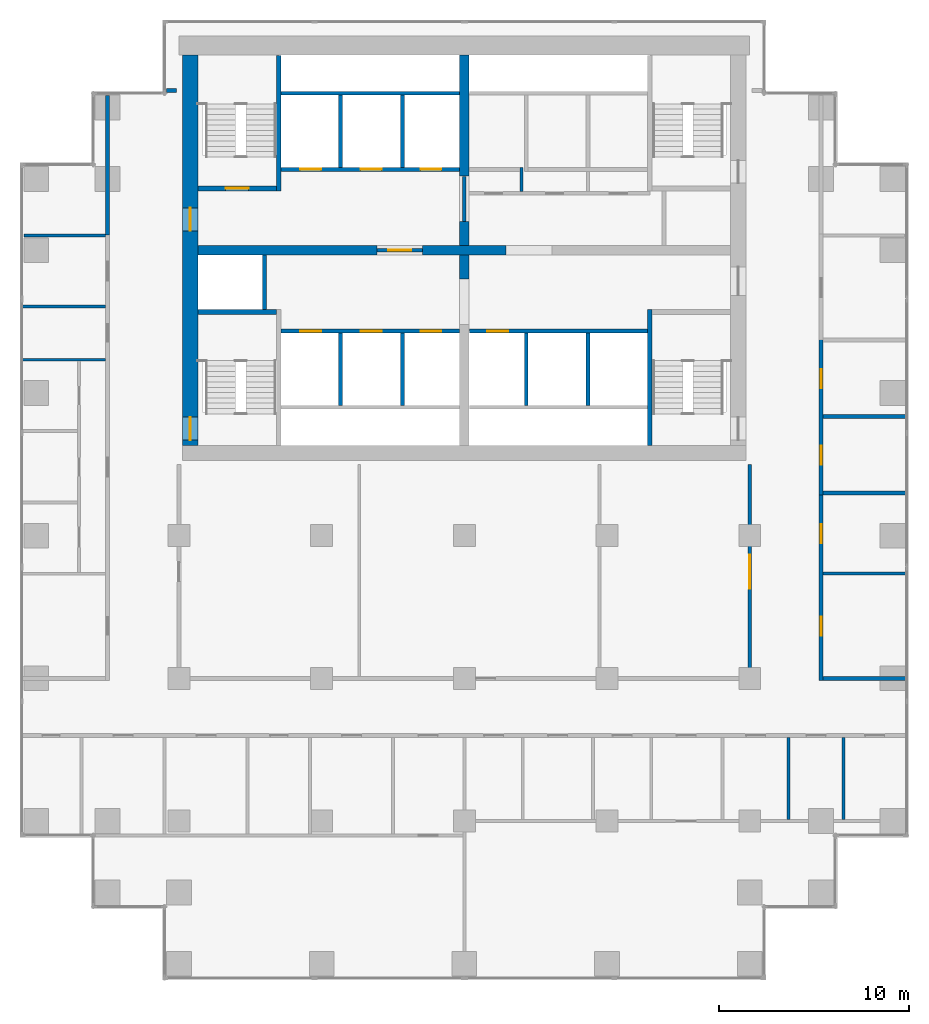
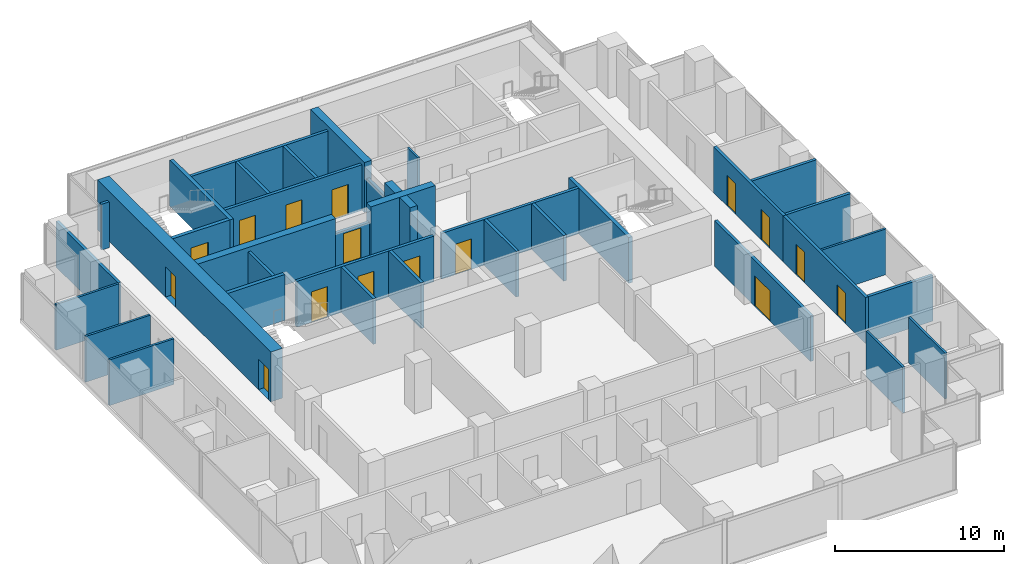
# One storey, part 8 of 10: 38 walls, 16 doors, 16 openings.
"""IFC4 building model written with IfcOpenShell, lengths in metres."""

from ifc_helpers import new_model, si_unit, direction, frame, frame_2d, origin, place, context, subcontext, project, spatial, rectangle, extrude, material, layer, layer_set, type_object, element, fill, save


model = new_model("IFC4")

# Units and contexts
model_context = context("Model", 3, precision=1e-05, world=origin(), true_north=direction((0.0, 1.0)))
body_context = subcontext(model_context, "Body", "Model", "MODEL_VIEW")
ifc_project = project(units=[si_unit("LENGTHUNIT", "METRE"), si_unit("AREAUNIT", "SQUARE_METRE"), si_unit("VOLUMEUNIT", "CUBIC_METRE"), si_unit("PLANEANGLEUNIT", "RADIAN"), si_unit("MASSUNIT", "GRAM", prefix="KILO")], contexts=[model_context])

# Site, building, storey
site_placement = place(None, origin())
site = spatial("IfcSite", under=ifc_project, at=site_placement, CompositionType="ELEMENT")
building_placement = place(site_placement, origin())
building = spatial("IfcBuilding", under=site, at=building_placement, Name="Pilkhan Gate Tower", CompositionType="ELEMENT")
storey_placement = place(building_placement, frame((0.0, 0.0, 139.60009765625)))
storey = spatial("IfcBuildingStorey", under=building, at=storey_placement, Name="L35", CompositionType="ELEMENT", Elevation=139.60009765625)

# Wall, openings, doors
ifc_material_1 = material(Name="Concrete C60/75", Category="concrete")
ifc_layer_1 = layer(ifc_material_1, 0.800048828125)
ifc_layer_set_1 = layer_set([ifc_layer_1], Name="Core wall CW800 C60/75")
wall_type_1 = type_object("IfcWallType", Name="Core wall CW800 C60/75", PredefinedType="SHEAR", material=ifc_layer_set_1)
wall_1_placement = place(storey_placement, frame((60.60009765625, 92.75, 0.0), z_axis=(0.0, 0.0, 1.0), x_axis=(0.0, -1.0, 0.0)))
wall_1 = element("IfcWall", 1, at=wall_1_placement, inside=storey, type_object=wall_type_1, Name="Core wall W L35", PredefinedType="SHEAR", context=body_context, shape_type="SweptSolid", body=[
    extrude(rectangle(XDim=20.5, YDim=0.800048828125, at=frame_2d((10.25, 0.0))), origin(), (0.0, 0.0, 1.0), 3.599853515625),
])
opening_1_placement = place(wall_1_placement, frame((19.02490234375, 0.0, 0.0)))
opening_1 = element("IfcOpeningElement", 2, at=opening_1_placement, cuts=wall_1, Name="Opening L35-04", PredefinedType="OPENING", context=body_context, shape_type="SweptSolid", body=[
    extrude(rectangle(XDim=1.199951171875, YDim=2.199951171875, at=frame_2d((0.60009765625, 1.10009765625))), frame((0.0, 0.409912109375, 0.0), z_axis=(0.0, -1.0, 0.0), x_axis=(1.0, 0.0, 0.0)), (0.0, 0.0, 1.0), 0.820068359375),
])
opening_2_placement = place(wall_1_placement, frame((8.02490234375, 0.0, 0.0)))
opening_2 = element("IfcOpeningElement", 3, at=opening_2_placement, cuts=wall_1, Name="Opening L35-12", PredefinedType="OPENING", context=body_context, shape_type="SweptSolid", body=[
    extrude(rectangle(XDim=1.199951171875, YDim=2.199951171875, at=frame_2d((0.60009765625, 1.10009765625))), frame((0.0, 0.409912109375, 0.0), z_axis=(0.0, -1.0, 0.0), x_axis=(1.0, 0.0, 0.0)), (0.0, 0.0, 1.0), 0.820068359375),
])
ifc_material_2 = material(Name="Steel door, 120 minute fire resisting, self-closing", Category="steel")
door_type_1 = type_object("IfcDoorType", Name="Firefighting lobby door D10 1200x2200", OperationType="SINGLE_SWING_LEFT", PredefinedType="DOOR", material=ifc_material_2)
door_1_placement = place(opening_2_placement, origin())
door_1 = element("IfcDoor", 4, at=door_1_placement, inside=storey, type_object=door_type_1, Name="Core door", OperationType="SINGLE_SWING_LEFT", OverallHeight=2.199951171875, OverallWidth=1.199951171875, PredefinedType="DOOR", context=body_context, shape_type="SweptSolid", body=[
    extrude(rectangle(XDim=1.199951171875, YDim=2.199951171875, at=frame_2d((0.60009765625, 1.10009765625))), frame((0.0, 0.02490234375, 0.0), z_axis=(0.0, -1.0, 0.0), x_axis=(1.0, 0.0, 0.0)), (0.0, 0.0, 1.0), 0.050048828125),
])
fill(opening_2, door_1)
ifc_material_3 = material(Name="Steel door, 120 minute fire resisting, panic bar", Category="steel")
door_type_2 = type_object("IfcDoorType", Name="Stair door D11 1200x2200", OperationType="SINGLE_SWING_LEFT", PredefinedType="DOOR", material=ifc_material_3)
door_2_placement = place(opening_1_placement, origin())
door_2 = element("IfcDoor", 5, at=door_2_placement, inside=storey, type_object=door_type_2, Name="Stair ST2 door", OperationType="SINGLE_SWING_RIGHT", OverallHeight=2.199951171875, OverallWidth=1.199951171875, PredefinedType="DOOR", context=body_context, shape_type="SweptSolid", body=[
    extrude(rectangle(XDim=1.199951171875, YDim=2.199951171875, at=frame_2d((0.60009765625, 1.10009765625))), frame((0.0, 0.02490234375, 0.0), z_axis=(0.0, -1.0, 0.0), x_axis=(1.0, 0.0, 0.0)), (0.0, 0.0, 1.0), 0.050048828125),
])
fill(opening_1, door_2)

# Walls
ifc_material_4 = material(Name="Dense blockwork", Category="masonry")
ifc_layer_2 = layer(ifc_material_4, 0.199951171875)
ifc_layer_set_2 = layer_set([ifc_layer_2], Name="Corridor wall FW200")
wall_type_2 = type_object("IfcWallType", Name="Corridor wall FW200", PredefinedType="PARTITIONING", material=ifc_layer_set_2)
wall_2_placement = place(storey_placement, frame((93.85009765625, 60.0, 0.0), z_axis=(0.0, 0.0, 1.0), x_axis=(1.0, 0.0, 0.0)))
element("IfcWall", 6, at=wall_2_placement, inside=storey, type_object=wall_type_2, Name="Partition L35", PredefinedType="PARTITIONING", context=body_context, shape_type="SweptSolid", body=[
    extrude(rectangle(XDim=4.414794921875, YDim=0.199951171875, at=frame_2d((2.20751953125, 0.0))), origin(), (0.0, 0.0, 1.0), 3.2998046875),
])
wall_3_placement = place(storey_placement, frame((59.35498046875, 90.89990234375, 0.0), z_axis=(0.0, 0.0, 1.0), x_axis=(1.0, 0.0, 0.0)))
element("IfcWall", 7, at=wall_3_placement, inside=storey, type_object=wall_type_2, Name="Partition L35", PredefinedType="PARTITIONING", context=body_context, shape_type="SweptSolid", body=[
    extrude(rectangle(XDim=0.52490234375, YDim=0.199951171875, at=frame_2d((0.262451171875, 0.0))), origin(), (0.0, 0.0, 1.0), 3.2998046875),
])
wall_4_placement = place(storey_placement, frame((56.25, 83.31005859375, 0.0), z_axis=(0.0, 0.0, 1.0), x_axis=(0.0, 1.0, 0.0)))
element("IfcWall", 8, at=wall_4_placement, inside=storey, type_object=wall_type_2, Name="Partition L35", PredefinedType="PARTITIONING", context=body_context, shape_type="SweptSolid", body=[
    extrude(rectangle(XDim=7.3349609375, YDim=0.199951171875, at=frame_2d((3.66748046875, 0.0))), origin(), (0.0, 0.0, 1.0), 3.2998046875),
])

# Wall, opening, door
wall_5_placement = place(storey_placement, frame((90.0, 59.89990234375, 0.0), z_axis=(0.0, 0.0, 1.0), x_axis=(0.0, 1.0, 0.0)))
wall_5 = element("IfcWall", 9, at=wall_5_placement, inside=storey, type_object=wall_type_2, Name="Partition L35", PredefinedType="PARTITIONING", context=body_context, shape_type="SweptSolid", body=[
    extrude(rectangle(XDim=11.35009765625, YDim=0.199951171875, at=frame_2d((5.675048828125, 0.0))), origin(), (0.0, 0.0, 1.0), 3.2998046875),
])
opening_3_placement = place(wall_5_placement, frame((4.800048828125, 0.0, 0.0)))
opening_3 = element("IfcOpeningElement", 10, at=opening_3_placement, cuts=wall_5, Name="Opening L35-40", PredefinedType="OPENING", context=body_context, shape_type="SweptSolid", body=[
    extrude(rectangle(XDim=1.800048828125, YDim=2.199951171875, at=frame_2d((0.89990234375, 1.10009765625))), frame((0.0, 0.10986328125, 0.0), z_axis=(0.0, -1.0, 0.0), x_axis=(1.0, 0.0, 0.0)), (0.0, 0.0, 1.0), 0.219970703125),
])
ifc_material_5 = material(Name="Timber glazed double door, 30 minute fire resisting", Category="wood")
door_type_3 = type_object("IfcDoorType", Name="Double door D04 1800x2200", OperationType="DOUBLE_DOOR_SINGLE_SWING", PredefinedType="DOOR", material=ifc_material_5)
door_3_placement = place(opening_3_placement, origin())
door_3 = element("IfcDoor", 11, at=door_3_placement, inside=storey, type_object=door_type_3, Name="Double door", OperationType="DOUBLE_DOOR_SINGLE_SWING", OverallHeight=2.199951171875, OverallWidth=1.800048828125, PredefinedType="DOOR", context=body_context, shape_type="SweptSolid", body=[
    extrude(rectangle(XDim=1.800048828125, YDim=2.199951171875, at=frame_2d((0.89990234375, 1.10009765625))), frame((0.0, 0.02490234375, 0.0), z_axis=(0.0, -1.0, 0.0), x_axis=(1.0, 0.0, 0.0)), (0.0, 0.0, 1.0), 0.050048828125),
])
fill(opening_3, door_3)

# Wall, openings, doors
wall_6_placement = place(storey_placement, frame((93.75, 59.89990234375, 0.0), z_axis=(0.0, 0.0, 1.0), x_axis=(0.0, 1.0, 0.0)))
wall_6 = element("IfcWall", 12, at=wall_6_placement, inside=storey, type_object=wall_type_2, Name="Partition L35", PredefinedType="PARTITIONING", context=body_context, shape_type="SweptSolid", body=[
    extrude(rectangle(XDim=9.835205078125, YDim=0.199951171875, at=frame_2d((4.91748046875, 0.0))), origin(), (0.0, 0.0, 1.0), 3.2998046875),
])
opening_4_placement = place(wall_6_placement, frame((2.35009765625, 0.0, 0.0)))
opening_4 = element("IfcOpeningElement", 13, at=opening_4_placement, cuts=wall_6, Name="Opening L35-35", PredefinedType="OPENING", context=body_context, shape_type="SweptSolid", body=[
    extrude(rectangle(XDim=1.0, YDim=2.199951171875, at=frame_2d((0.5, 1.10009765625))), frame((0.0, 0.10986328125, 0.0), z_axis=(0.0, -1.0, 0.0), x_axis=(1.0, 0.0, 0.0)), (0.0, 0.0, 1.0), 0.219970703125),
])
opening_5_placement = place(wall_6_placement, frame((7.202880859375, 0.0, 0.0)))
opening_5 = element("IfcOpeningElement", 14, at=opening_5_placement, cuts=wall_6, Name="Opening L35-36", PredefinedType="OPENING", context=body_context, shape_type="SweptSolid", body=[
    extrude(rectangle(XDim=1.0, YDim=2.199951171875, at=frame_2d((0.5, 1.10009765625))), frame((0.0, 0.10986328125, 0.0), z_axis=(0.0, -1.0, 0.0), x_axis=(1.0, 0.0, 0.0)), (0.0, 0.0, 1.0), 0.219970703125),
])
ifc_material_6 = material(Name="Timber flush door, 30 minute fire resisting", Category="wood")
door_type_4 = type_object("IfcDoorType", Name="Room door D03 1000x2200", OperationType="SINGLE_SWING_LEFT", PredefinedType="DOOR", material=ifc_material_6)
door_4_placement = place(opening_4_placement, origin())
door_4 = element("IfcDoor", 15, at=door_4_placement, inside=storey, type_object=door_type_4, Name="Room door", OperationType="SINGLE_SWING_LEFT", OverallHeight=2.199951171875, OverallWidth=1.0, PredefinedType="DOOR", context=body_context, shape_type="SweptSolid", body=[
    extrude(rectangle(XDim=1.0, YDim=2.199951171875, at=frame_2d((0.5, 1.10009765625))), frame((0.0, 0.02490234375, 0.0), z_axis=(0.0, -1.0, 0.0), x_axis=(1.0, 0.0, 0.0)), (0.0, 0.0, 1.0), 0.050048828125),
])
fill(opening_4, door_4)
door_5_placement = place(opening_5_placement, origin())
door_5 = element("IfcDoor", 16, at=door_5_placement, inside=storey, type_object=door_type_4, Name="Room door", OperationType="SINGLE_SWING_LEFT", OverallHeight=2.199951171875, OverallWidth=1.0, PredefinedType="DOOR", context=body_context, shape_type="SweptSolid", body=[
    extrude(rectangle(XDim=1.0, YDim=2.199951171875, at=frame_2d((0.5, 1.10009765625))), frame((0.0, 0.02490234375, 0.0), z_axis=(0.0, -1.0, 0.0), x_axis=(1.0, 0.0, 0.0)), (0.0, 0.0, 1.0), 0.050048828125),
])
fill(opening_5, door_5)

# Walls
ifc_layer_3 = layer(ifc_material_4, 0.199951171875)
ifc_layer_set_3 = layer_set([ifc_layer_3], Name="Lobby wall LW200")
wall_type_3 = type_object("IfcWallType", Name="Lobby wall LW200", PredefinedType="PARTITIONING", material=ifc_layer_set_3)
for number, where, z_axis, x_axis, name in (
    (17, (93.85009765625, 69.735107421875, 0.0), (0.0, 0.0, 1.0), (1.0, 0.0, 0.0), "Partition L35"),
    (18, (93.85009765625, 73.756103515625, 0.0), (0.0, 0.0, 1.0), (1.0, 0.0, 0.0), "Partition L35"),
):
    element("IfcWall", number, at=place(storey_placement, frame(where, z_axis=z_axis, x_axis=x_axis)), inside=storey, type_object=wall_type_3, Name=name, PredefinedType="PARTITIONING", context=body_context, shape_type="SweptSolid", body=[
        extrude(rectangle(XDim=4.414794921875, YDim=0.199951171875, at=frame_2d((2.20751953125, 0.0))), origin(), (0.0, 0.0, 1.0), 3.2998046875),
    ])

# Wall, opening, door
wall_7_placement = place(storey_placement, frame((70.409912109375, 82.5, 0.0), z_axis=(0.0, 0.0, 1.0), x_axis=(1.0, 0.0, 0.0)))
wall_7 = element("IfcWall", 19, at=wall_7_placement, inside=storey, type_object=wall_type_3, Name="Partition L35", PredefinedType="PARTITIONING", context=body_context, shape_type="SweptSolid", body=[
    extrude(rectangle(XDim=2.380126953125, YDim=0.199951171875, at=frame_2d((1.18994140625, 0.0))), origin(), (0.0, 0.0, 1.0), 2.39990234375),
])
opening_6_placement = place(wall_7_placement, frame((0.60009765625, 0.0, 0.0)))
opening_6 = element("IfcOpeningElement", 20, at=opening_6_placement, cuts=wall_7, Name="Opening L35-01", PredefinedType="OPENING", context=body_context, shape_type="SweptSolid", body=[
    extrude(rectangle(XDim=1.199951171875, YDim=2.199951171875, at=frame_2d((0.60009765625, 1.10009765625))), frame((0.0, 0.10986328125, 0.0), z_axis=(0.0, -1.0, 0.0), x_axis=(1.0, 0.0, 0.0)), (0.0, 0.0, 1.0), 0.219970703125),
])
door_6_placement = place(opening_6_placement, origin())
door_6 = element("IfcDoor", 21, at=door_6_placement, inside=storey, type_object=door_type_1, Name="Firefighting lobby door", OperationType="SINGLE_SWING_RIGHT", OverallHeight=2.199951171875, OverallWidth=1.199951171875, PredefinedType="DOOR", context=body_context, shape_type="SweptSolid", body=[
    extrude(rectangle(XDim=1.199951171875, YDim=2.199951171875, at=frame_2d((0.60009765625, 1.10009765625))), frame((0.0, 0.02490234375, 0.0), z_axis=(0.0, -1.0, 0.0), x_axis=(1.0, 0.0, 0.0)), (0.0, 0.0, 1.0), 0.050048828125),
])
fill(opening_6, door_6)

# Wall
wall_8_placement = place(storey_placement, frame((75.0, 84.010009765625, 0.0), z_axis=(0.0, 0.0, 1.0), x_axis=(0.0, 1.0, 0.0)))
element("IfcWall", 22, at=wall_8_placement, inside=storey, type_object=wall_type_3, Name="Partition L35", PredefinedType="PARTITIONING", context=body_context, shape_type="SweptSolid", body=[
    extrude(rectangle(XDim=2.3798828125, YDim=0.199951171875, at=frame_2d((1.18994140625, 0.0))), origin(), (0.0, 0.0, 1.0), 2.39990234375),
])

# Wall, openings, doors
wall_9_placement = place(storey_placement, frame((93.75, 69.635009765625, 0.0), z_axis=(0.0, 0.0, 1.0), x_axis=(0.0, 1.0, 0.0)))
wall_9 = element("IfcWall", 23, at=wall_9_placement, inside=storey, type_object=wall_type_3, Name="Partition L35", PredefinedType="PARTITIONING", context=body_context, shape_type="SweptSolid", body=[
    extrude(rectangle(XDim=8.241943359375, YDim=0.199951171875, at=frame_2d((4.12109375, 0.0))), origin(), (0.0, 0.0, 1.0), 3.2998046875),
])
opening_7_placement = place(wall_9_placement, frame((1.60009765625, 0.0, 0.0)))
opening_7 = element("IfcOpeningElement", 24, at=opening_7_placement, cuts=wall_9, Name="Opening L35-09", PredefinedType="OPENING", context=body_context, shape_type="SweptSolid", body=[
    extrude(rectangle(XDim=1.0, YDim=2.199951171875, at=frame_2d((0.5, 1.10009765625))), frame((0.0, 0.10986328125, 0.0), z_axis=(0.0, -1.0, 0.0), x_axis=(1.0, 0.0, 0.0)), (0.0, 0.0, 1.0), 0.219970703125),
])
opening_8_placement = place(wall_9_placement, frame((5.62109375, 0.0, 0.0)))
opening_8 = element("IfcOpeningElement", 25, at=opening_8_placement, cuts=wall_9, Name="Opening L35-10", PredefinedType="OPENING", context=body_context, shape_type="SweptSolid", body=[
    extrude(rectangle(XDim=1.0, YDim=2.199951171875, at=frame_2d((0.5, 1.10009765625))), frame((0.0, 0.10986328125, 0.0), z_axis=(0.0, -1.0, 0.0), x_axis=(1.0, 0.0, 0.0)), (0.0, 0.0, 1.0), 0.219970703125),
])
door_7_placement = place(opening_7_placement, origin())
door_7 = element("IfcDoor", 26, at=door_7_placement, inside=storey, type_object=door_type_4, Name="Room door", OperationType="SINGLE_SWING_RIGHT", OverallHeight=2.199951171875, OverallWidth=1.0, PredefinedType="DOOR", context=body_context, shape_type="SweptSolid", body=[
    extrude(rectangle(XDim=1.0, YDim=2.199951171875, at=frame_2d((0.5, 1.10009765625))), frame((0.0, 0.02490234375, 0.0), z_axis=(0.0, -1.0, 0.0), x_axis=(1.0, 0.0, 0.0)), (0.0, 0.0, 1.0), 0.050048828125),
])
fill(opening_7, door_7)
door_8_placement = place(opening_8_placement, origin())
door_8 = element("IfcDoor", 27, at=door_8_placement, inside=storey, type_object=door_type_4, Name="Room door", OperationType="SINGLE_SWING_LEFT", OverallHeight=2.199951171875, OverallWidth=1.0, PredefinedType="DOOR", context=body_context, shape_type="SweptSolid", body=[
    extrude(rectangle(XDim=1.0, YDim=2.199951171875, at=frame_2d((0.5, 1.10009765625))), frame((0.0, 0.02490234375, 0.0), z_axis=(0.0, -1.0, 0.0), x_axis=(1.0, 0.0, 0.0)), (0.0, 0.0, 1.0), 0.050048828125),
])
fill(opening_8, door_8)

# Walls
ifc_material_7 = material(Name="Blockwork partition, plastered both sides", Category="masonry")
ifc_layer_4 = layer(ifc_material_7, 0.14990234375)
ifc_layer_set_4 = layer_set([ifc_layer_4], Name="Partition PW150")
wall_type_4 = type_object("IfcWallType", Name="Partition PW150", PredefinedType="PARTITIONING", material=ifc_layer_set_4)
for number, where, z_axis, x_axis, name in (
    (28, (93.85009765625, 65.5029296875, 0.0), (0.0, 0.0, 1.0), (1.0, 0.0, 0.0), "Partition L35"),
    (29, (51.735107421875, 76.75, 0.0), (0.0, 0.0, 1.0), (1.0, 0.0, 0.0), "Partition L35"),
    (30, (51.735107421875, 79.549072265625, 0.0), (0.0, 0.0, 1.0), (1.0, 0.0, 0.0), "Partition L35"),
):
    element("IfcWall", number, at=place(storey_placement, frame(where, z_axis=z_axis, x_axis=x_axis)), inside=storey, type_object=wall_type_4, Name=name, PredefinedType="PARTITIONING", context=body_context, shape_type="SweptSolid", body=[
        extrude(rectangle(XDim=4.414794921875, YDim=0.14990234375, at=frame_2d((2.20751953125, 0.0))), origin(), (0.0, 0.0, 1.0), 3.2998046875),
    ])
wall_10_placement = place(storey_placement, frame((51.85498046875, 83.280029296875, 0.0), z_axis=(0.0, 0.0, 1.0), x_axis=(1.0, 0.0, 0.0)))
element("IfcWall", 31, at=wall_10_placement, inside=storey, type_object=wall_type_4, Name="Partition L35", PredefinedType="PARTITIONING", context=body_context, shape_type="SweptSolid", body=[
    extrude(rectangle(XDim=4.294921875, YDim=0.14990234375, at=frame_2d((2.1474609375, 0.0))), origin(), (0.0, 0.0, 1.0), 3.2998046875),
])
wall_11_placement = place(storey_placement, frame((78.0, 85.60009765625, 0.0), z_axis=(0.0, 0.0, 1.0), x_axis=(0.0, 1.0, 0.0)))
element("IfcWall", 32, at=wall_11_placement, inside=storey, type_object=wall_type_4, Name="Partition L35", PredefinedType="PARTITIONING", context=body_context, shape_type="SweptSolid", body=[
    extrude(rectangle(XDim=1.25, YDim=0.14990234375, at=frame_2d((0.625, 0.0))), origin(), (0.0, 0.0, 1.0), 3.2998046875),
])
for number, where, z_axis, x_axis, name in (
    (33, (92.04296875, 52.574951171875, 0.0), (0.0, 0.0, 1.0), (0.0, 1.0, 0.0), "Partition L35"),
    (34, (94.931884765625, 52.574951171875, 0.0), (0.0, 0.0, 1.0), (0.0, 1.0, 0.0), "Partition L35"),
):
    element("IfcWall", number, at=place(storey_placement, frame(where, z_axis=z_axis, x_axis=x_axis)), inside=storey, type_object=wall_type_4, Name=name, PredefinedType="PARTITIONING", context=body_context, shape_type="SweptSolid", body=[
        extrude(rectangle(XDim=4.324951171875, YDim=0.14990234375, at=frame_2d((2.16259765625, 0.0))), origin(), (0.0, 0.0, 1.0), 3.2998046875),
    ])

# Wall, openings, doors
ifc_material_8 = material(Name="Reinforced blockwork shaft wall, 120 minute fire resisting", Category="masonry")
ifc_layer_5 = layer(ifc_material_8, 0.199951171875)
ifc_layer_set_5 = layer_set([ifc_layer_5], Name="Shaft wall SW200")
wall_type_5 = type_object("IfcWallType", Name="Shaft wall SW200", PredefinedType="PARTITIONING", material=ifc_layer_set_5)
wall_12_placement = place(storey_placement, frame((65.375, 78.25, 0.0), z_axis=(0.0, 0.0, 1.0), x_axis=(1.0, 0.0, 0.0)))
wall_12 = element("IfcWall", 35, at=wall_12_placement, inside=storey, type_object=wall_type_5, Name="Partition L35", PredefinedType="PARTITIONING", context=body_context, shape_type="SweptSolid", body=[
    extrude(rectangle(XDim=9.364990234375, YDim=0.199951171875, at=frame_2d((4.6826171875, 0.0))), origin(), (0.0, 0.0, 1.0), 3.2998046875),
])
opening_9_placement = place(wall_12_placement, frame((1.0, 0.0, 0.0)))
opening_9 = element("IfcOpeningElement", 36, at=opening_9_placement, cuts=wall_12, Name="Opening LD", PredefinedType="OPENING", context=body_context, shape_type="SweptSolid", body=[
    extrude(rectangle(XDim=1.10009765625, YDim=2.199951171875, at=frame_2d((0.550048828125, 1.10009765625))), frame((0.0, 0.10986328125, 0.0), z_axis=(0.0, -1.0, 0.0), x_axis=(1.0, 0.0, 0.0)), (0.0, 0.0, 1.0), 0.219970703125),
])
opening_10_placement = place(wall_12_placement, frame((4.175048828125, 0.0, 0.0)))
opening_10 = element("IfcOpeningElement", 37, at=opening_10_placement, cuts=wall_12, Name="Opening LD", PredefinedType="OPENING", context=body_context, shape_type="SweptSolid", body=[
    extrude(rectangle(XDim=1.10009765625, YDim=2.199951171875, at=frame_2d((0.550048828125, 1.10009765625))), frame((0.0, 0.10986328125, 0.0), z_axis=(0.0, -1.0, 0.0), x_axis=(1.0, 0.0, 0.0)), (0.0, 0.0, 1.0), 0.219970703125),
])
opening_11_placement = place(wall_12_placement, frame((7.324951171875, 0.0, 0.0)))
opening_11 = element("IfcOpeningElement", 38, at=opening_11_placement, cuts=wall_12, Name="Opening LD", PredefinedType="OPENING", context=body_context, shape_type="SweptSolid", body=[
    extrude(rectangle(XDim=1.10009765625, YDim=2.199951171875, at=frame_2d((0.550048828125, 1.10009765625))), frame((0.0, 0.10986328125, 0.0), z_axis=(0.0, -1.0, 0.0), x_axis=(1.0, 0.0, 0.0)), (0.0, 0.0, 1.0), 0.219970703125),
])
ifc_material_9 = material(Name="Stainless steel centre-opening landing door, 120 minute fire resisting", Category="steel")
door_type_5 = type_object("IfcDoorType", Name="Lift landing door LD 1100x2200", OperationType="DOUBLE_DOOR_SLIDING", PredefinedType="DOOR", material=ifc_material_9)
door_9_placement = place(opening_9_placement, origin())
door_9 = element("IfcDoor", 39, at=door_9_placement, inside=storey, type_object=door_type_5, Name="Landing door LR1", OperationType="DOUBLE_DOOR_SLIDING", OverallHeight=2.199951171875, OverallWidth=1.10009765625, PredefinedType="DOOR", context=body_context, shape_type="SweptSolid", body=[
    extrude(rectangle(XDim=1.10009765625, YDim=2.199951171875, at=frame_2d((0.550048828125, 1.10009765625))), frame((0.0, 0.02490234375, 0.0), z_axis=(0.0, -1.0, 0.0), x_axis=(1.0, 0.0, 0.0)), (0.0, 0.0, 1.0), 0.050048828125),
])
fill(opening_9, door_9)
door_10_placement = place(opening_10_placement, origin())
door_10 = element("IfcDoor", 40, at=door_10_placement, inside=storey, type_object=door_type_5, Name="Landing door LR2", OperationType="DOUBLE_DOOR_SLIDING", OverallHeight=2.199951171875, OverallWidth=1.10009765625, PredefinedType="DOOR", context=body_context, shape_type="SweptSolid", body=[
    extrude(rectangle(XDim=1.10009765625, YDim=2.199951171875, at=frame_2d((0.550048828125, 1.10009765625))), frame((0.0, 0.02490234375, 0.0), z_axis=(0.0, -1.0, 0.0), x_axis=(1.0, 0.0, 0.0)), (0.0, 0.0, 1.0), 0.050048828125),
])
fill(opening_10, door_10)
door_11_placement = place(opening_11_placement, origin())
door_11 = element("IfcDoor", 41, at=door_11_placement, inside=storey, type_object=door_type_5, Name="Landing door LR3", OperationType="DOUBLE_DOOR_SLIDING", OverallHeight=2.199951171875, OverallWidth=1.10009765625, PredefinedType="DOOR", context=body_context, shape_type="SweptSolid", body=[
    extrude(rectangle(XDim=1.10009765625, YDim=2.199951171875, at=frame_2d((0.550048828125, 1.10009765625))), frame((0.0, 0.02490234375, 0.0), z_axis=(0.0, -1.0, 0.0), x_axis=(1.0, 0.0, 0.0)), (0.0, 0.0, 1.0), 0.050048828125),
])
fill(opening_11, door_11)

# Wall, opening, door
wall_13_placement = place(storey_placement, frame((75.260009765625, 78.25, 0.0), z_axis=(0.0, 0.0, 1.0), x_axis=(1.0, 0.0, 0.0)))
wall_13 = element("IfcWall", 42, at=wall_13_placement, inside=storey, type_object=wall_type_5, Name="Partition L35", PredefinedType="PARTITIONING", context=body_context, shape_type="SweptSolid", body=[
    extrude(rectangle(XDim=9.364990234375, YDim=0.199951171875, at=frame_2d((4.6826171875, 0.0))), origin(), (0.0, 0.0, 1.0), 3.2998046875),
])
opening_12_placement = place(wall_13_placement, frame((0.949951171875, 0.0, 0.0)))
opening_12 = element("IfcOpeningElement", 43, at=opening_12_placement, cuts=wall_13, Name="Opening LD", PredefinedType="OPENING", context=body_context, shape_type="SweptSolid", body=[
    extrude(rectangle(XDim=1.10009765625, YDim=2.199951171875, at=frame_2d((0.550048828125, 1.10009765625))), frame((0.0, 0.10986328125, 0.0), z_axis=(0.0, -1.0, 0.0), x_axis=(1.0, 0.0, 0.0)), (0.0, 0.0, 1.0), 0.219970703125),
])
door_12_placement = place(opening_12_placement, origin())
door_12 = element("IfcDoor", 44, at=door_12_placement, inside=storey, type_object=door_type_5, Name="Landing door LR4", OperationType="DOUBLE_DOOR_SLIDING", OverallHeight=2.199951171875, OverallWidth=1.10009765625, PredefinedType="DOOR", context=body_context, shape_type="SweptSolid", body=[
    extrude(rectangle(XDim=1.10009765625, YDim=2.199951171875, at=frame_2d((0.550048828125, 1.10009765625))), frame((0.0, 0.02490234375, 0.0), z_axis=(0.0, -1.0, 0.0), x_axis=(1.0, 0.0, 0.0)), (0.0, 0.0, 1.0), 0.050048828125),
])
fill(opening_12, door_12)

# Wall, openings, doors
wall_14_placement = place(storey_placement, frame((65.375, 86.75, 0.0), z_axis=(0.0, 0.0, 1.0), x_axis=(1.0, 0.0, 0.0)))
wall_14 = element("IfcWall", 45, at=wall_14_placement, inside=storey, type_object=wall_type_5, Name="Partition L35", PredefinedType="PARTITIONING", context=body_context, shape_type="SweptSolid", body=[
    extrude(rectangle(XDim=9.364990234375, YDim=0.199951171875, at=frame_2d((4.6826171875, 0.0))), origin(), (0.0, 0.0, 1.0), 3.2998046875),
])
opening_13_placement = place(wall_14_placement, frame((1.0, 0.0, 0.0)))
opening_13 = element("IfcOpeningElement", 46, at=opening_13_placement, cuts=wall_14, Name="Opening LD", PredefinedType="OPENING", context=body_context, shape_type="SweptSolid", body=[
    extrude(rectangle(XDim=1.10009765625, YDim=2.199951171875, at=frame_2d((0.550048828125, 1.10009765625))), frame((0.0, 0.10986328125, 0.0), z_axis=(0.0, -1.0, 0.0), x_axis=(1.0, 0.0, 0.0)), (0.0, 0.0, 1.0), 0.219970703125),
])
opening_14_placement = place(wall_14_placement, frame((4.175048828125, 0.0, 0.0)))
opening_14 = element("IfcOpeningElement", 47, at=opening_14_placement, cuts=wall_14, Name="Opening LD", PredefinedType="OPENING", context=body_context, shape_type="SweptSolid", body=[
    extrude(rectangle(XDim=1.10009765625, YDim=2.199951171875, at=frame_2d((0.550048828125, 1.10009765625))), frame((0.0, 0.10986328125, 0.0), z_axis=(0.0, -1.0, 0.0), x_axis=(1.0, 0.0, 0.0)), (0.0, 0.0, 1.0), 0.219970703125),
])
opening_15_placement = place(wall_14_placement, frame((7.324951171875, 0.0, 0.0)))
opening_15 = element("IfcOpeningElement", 48, at=opening_15_placement, cuts=wall_14, Name="Opening LD", PredefinedType="OPENING", context=body_context, shape_type="SweptSolid", body=[
    extrude(rectangle(XDim=1.10009765625, YDim=2.199951171875, at=frame_2d((0.550048828125, 1.10009765625))), frame((0.0, 0.10986328125, 0.0), z_axis=(0.0, -1.0, 0.0), x_axis=(1.0, 0.0, 0.0)), (0.0, 0.0, 1.0), 0.219970703125),
])
door_13_placement = place(opening_13_placement, origin())
door_13 = element("IfcDoor", 49, at=door_13_placement, inside=storey, type_object=door_type_5, Name="Landing door FF1", OperationType="DOUBLE_DOOR_SLIDING", OverallHeight=2.199951171875, OverallWidth=1.10009765625, PredefinedType="DOOR", context=body_context, shape_type="SweptSolid", body=[
    extrude(rectangle(XDim=1.10009765625, YDim=2.199951171875, at=frame_2d((0.550048828125, 1.10009765625))), frame((0.0, 0.02490234375, 0.0), z_axis=(0.0, -1.0, 0.0), x_axis=(1.0, 0.0, 0.0)), (0.0, 0.0, 1.0), 0.050048828125),
])
fill(opening_13, door_13)
door_14_placement = place(opening_14_placement, origin())
door_14 = element("IfcDoor", 50, at=door_14_placement, inside=storey, type_object=door_type_5, Name="Landing door FF2", OperationType="DOUBLE_DOOR_SLIDING", OverallHeight=2.199951171875, OverallWidth=1.10009765625, PredefinedType="DOOR", context=body_context, shape_type="SweptSolid", body=[
    extrude(rectangle(XDim=1.10009765625, YDim=2.199951171875, at=frame_2d((0.550048828125, 1.10009765625))), frame((0.0, 0.02490234375, 0.0), z_axis=(0.0, -1.0, 0.0), x_axis=(1.0, 0.0, 0.0)), (0.0, 0.0, 1.0), 0.050048828125),
])
fill(opening_14, door_14)
door_15_placement = place(opening_15_placement, origin())
door_15 = element("IfcDoor", 51, at=door_15_placement, inside=storey, type_object=door_type_5, Name="Landing door SV1", OperationType="DOUBLE_DOOR_SLIDING", OverallHeight=2.199951171875, OverallWidth=1.10009765625, PredefinedType="DOOR", context=body_context, shape_type="SweptSolid", body=[
    extrude(rectangle(XDim=1.10009765625, YDim=2.199951171875, at=frame_2d((0.550048828125, 1.10009765625))), frame((0.0, 0.02490234375, 0.0), z_axis=(0.0, -1.0, 0.0), x_axis=(1.0, 0.0, 0.0)), (0.0, 0.0, 1.0), 0.050048828125),
])
fill(opening_15, door_15)

# Walls
wall_15_placement = place(storey_placement, frame((65.375, 90.75, 0.0), z_axis=(0.0, 0.0, 1.0), x_axis=(1.0, 0.0, 0.0)))
element("IfcWall", 52, at=wall_15_placement, inside=storey, type_object=wall_type_5, Name="Partition L35", PredefinedType="PARTITIONING", context=body_context, shape_type="SweptSolid", body=[
    extrude(rectangle(XDim=9.364990234375, YDim=0.199951171875, at=frame_2d((4.6826171875, 0.0))), origin(), (0.0, 0.0, 1.0), 3.2998046875),
])
wall_16_placement = place(storey_placement, frame((64.5, 79.375, 0.0), z_axis=(0.0, 0.0, 1.0), x_axis=(0.0, 1.0, 0.0)))
element("IfcWall", 53, at=wall_16_placement, inside=storey, type_object=wall_type_5, Name="Partition L35", PredefinedType="PARTITIONING", context=body_context, shape_type="SweptSolid", body=[
    extrude(rectangle(XDim=2.864990234375, YDim=0.199951171875, at=frame_2d((1.4326171875, 0.0))), origin(), (0.0, 0.0, 1.0), 3.2998046875),
])
for number, where, z_axis, x_axis, name in (
    (54, (68.5, 74.35009765625, 0.0), (0.0, 0.0, 1.0), (0.0, 1.0, 0.0), "Partition L35"),
    (55, (68.5, 86.85009765625, 0.0), (0.0, 0.0, 1.0), (0.0, 1.0, 0.0), "Partition L35"),
    (56, (71.75, 74.35009765625, 0.0), (0.0, 0.0, 1.0), (0.0, 1.0, 0.0), "Partition L35"),
    (57, (71.75, 86.85009765625, 0.0), (0.0, 0.0, 1.0), (0.0, 1.0, 0.0), "Partition L35"),
    (58, (78.25, 74.35009765625, 0.0), (0.0, 0.0, 1.0), (0.0, 1.0, 0.0), "Partition L35"),
    (59, (81.5, 74.35009765625, 0.0), (0.0, 0.0, 1.0), (0.0, 1.0, 0.0), "Partition L35"),
):
    element("IfcWall", number, at=place(storey_placement, frame(where, z_axis=z_axis, x_axis=x_axis)), inside=storey, type_object=wall_type_5, Name=name, PredefinedType="PARTITIONING", context=body_context, shape_type="SweptSolid", body=[
        extrude(rectangle(XDim=3.7998046875, YDim=0.199951171875, at=frame_2d((1.89990234375, 0.0))), origin(), (0.0, 0.0, 1.0), 3.2998046875),
    ])
ifc_layer_6 = layer(ifc_material_1, 0.5)
ifc_layer_set_6 = layer_set([ifc_layer_6], Name="Spine wall SW500 C60/75")
wall_type_6 = type_object("IfcWallType", Name="Spine wall SW500 C60/75", PredefinedType="SHEAR", material=ifc_layer_set_6)
wall_17_placement = place(storey_placement, frame((61.0, 82.5, 0.0), z_axis=(0.0, 0.0, 1.0), x_axis=(1.0, 0.0, 0.0)))
element("IfcWall", 60, at=wall_17_placement, inside=storey, type_object=wall_type_6, Name="Spine wall SP-EW1 L35", PredefinedType="SHEAR", context=body_context, shape_type="SweptSolid", body=[
    extrude(rectangle(XDim=9.39990234375, YDim=0.5, at=frame_2d((4.699951171875, 0.0))), origin(), (0.0, 0.0, 1.0), 3.599853515625),
])
wall_18_placement = place(storey_placement, frame((72.800048828125, 82.5, 0.0), z_axis=(0.0, 0.0, 1.0), x_axis=(1.0, 0.0, 0.0)))
element("IfcWall", 61, at=wall_18_placement, inside=storey, type_object=wall_type_6, Name="Spine wall SP-EW2 L35", PredefinedType="SHEAR", context=body_context, shape_type="SweptSolid", body=[
    extrude(rectangle(XDim=4.39990234375, YDim=0.5, at=frame_2d((2.199951171875, 0.0))), origin(), (0.0, 0.0, 1.0), 3.599853515625),
])
for number, where, z_axis, x_axis, name in (
    (62, (75.0, 81.0, 0.0), (0.0, 0.0, 1.0), (0.0, 1.0, 0.0), "Spine wall SP-NS-S2 L35"),
    (63, (75.0, 82.75, 0.0), (0.0, 0.0, 1.0), (0.0, 1.0, 0.0), "Spine wall SP-NS-N1 L35"),
):
    element("IfcWall", number, at=place(storey_placement, frame(where, z_axis=z_axis, x_axis=x_axis)), inside=storey, type_object=wall_type_6, Name=name, PredefinedType="SHEAR", context=body_context, shape_type="SweptSolid", body=[
        extrude(rectangle(XDim=1.25, YDim=0.5, at=frame_2d((0.625, 0.0))), origin(), (0.0, 0.0, 1.0), 3.599853515625),
    ])
wall_19_placement = place(storey_placement, frame((75.0, 86.39990234375, 0.0), z_axis=(0.0, 0.0, 1.0), x_axis=(0.0, 1.0, 0.0)))
element("IfcWall", 64, at=wall_19_placement, inside=storey, type_object=wall_type_6, Name="Spine wall SP-NS-N2 L35", PredefinedType="SHEAR", context=body_context, shape_type="SweptSolid", body=[
    extrude(rectangle(XDim=6.35009765625, YDim=0.5, at=frame_2d((3.175048828125, 0.0))), origin(), (0.0, 0.0, 1.0), 3.599853515625),
])
ifc_material_10 = material(Name="Reinforced blockwork, 120 minute fire resisting", Category="masonry")
ifc_layer_7 = layer(ifc_material_10, 0.25)
ifc_layer_set_7 = layer_set([ifc_layer_7], Name="Stair enclosure wall SE250")
wall_type_7 = type_object("IfcWallType", Name="Stair enclosure wall SE250", PredefinedType="PARTITIONING", material=ifc_layer_set_7)
wall_20_placement = place(storey_placement, frame((61.010009765625, 79.25, 0.0), z_axis=(0.0, 0.0, 1.0), x_axis=(1.0, 0.0, 0.0)))
element("IfcWall", 65, at=wall_20_placement, inside=storey, type_object=wall_type_7, Name="Partition L35", PredefinedType="PARTITIONING", context=body_context, shape_type="SweptSolid", body=[
    extrude(rectangle(XDim=4.114990234375, YDim=0.25, at=frame_2d((2.0576171875, 0.0))), origin(), (0.0, 0.0, 1.0), 3.2998046875),
])

# Wall, opening, door
wall_21_placement = place(storey_placement, frame((61.010009765625, 85.75, 0.0), z_axis=(0.0, 0.0, 1.0), x_axis=(1.0, 0.0, 0.0)))
wall_21 = element("IfcWall", 66, at=wall_21_placement, inside=storey, type_object=wall_type_7, Name="Partition L35", PredefinedType="PARTITIONING", context=body_context, shape_type="SweptSolid", body=[
    extrude(rectangle(XDim=4.114990234375, YDim=0.25, at=frame_2d((2.0576171875, 0.0))), origin(), (0.0, 0.0, 1.0), 3.2998046875),
])
opening_16_placement = place(wall_21_placement, frame((1.449951171875, 0.0, 0.0)))
opening_16 = element("IfcOpeningElement", 67, at=opening_16_placement, cuts=wall_21, Name="Opening L35-02", PredefinedType="OPENING", context=body_context, shape_type="SweptSolid", body=[
    extrude(rectangle(XDim=1.199951171875, YDim=2.199951171875, at=frame_2d((0.60009765625, 1.10009765625))), frame((0.0, 0.135009765625, 0.0), z_axis=(0.0, -1.0, 0.0), x_axis=(1.0, 0.0, 0.0)), (0.0, 0.0, 1.0), 0.27001953125),
])
door_16_placement = place(opening_16_placement, origin())
door_16 = element("IfcDoor", 68, at=door_16_placement, inside=storey, type_object=door_type_2, Name="Stair ST3 lobby door", OperationType="SINGLE_SWING_RIGHT", OverallHeight=2.199951171875, OverallWidth=1.199951171875, PredefinedType="DOOR", context=body_context, shape_type="SweptSolid", body=[
    extrude(rectangle(XDim=1.199951171875, YDim=2.199951171875, at=frame_2d((0.60009765625, 1.10009765625))), frame((0.0, 0.02490234375, 0.0), z_axis=(0.0, -1.0, 0.0), x_axis=(1.0, 0.0, 0.0)), (0.0, 0.0, 1.0), 0.050048828125),
])
fill(opening_16, door_16)

# Walls
wall_22_placement = place(storey_placement, frame((65.25, 85.625, 0.0), z_axis=(0.0, 0.0, 1.0), x_axis=(0.0, 1.0, 0.0)))
element("IfcWall", 69, at=wall_22_placement, inside=storey, type_object=wall_type_7, Name="Partition L35", PredefinedType="PARTITIONING", context=body_context, shape_type="SweptSolid", body=[
    extrude(rectangle(XDim=7.114990234375, YDim=0.25, at=frame_2d((3.5576171875, 0.0))), origin(), (0.0, 0.0, 1.0), 3.2998046875),
])
wall_23_placement = place(storey_placement, frame((84.75, 72.25, 0.0), z_axis=(0.0, 0.0, 1.0), x_axis=(0.0, 1.0, 0.0)))
element("IfcWall", 70, at=wall_23_placement, inside=storey, type_object=wall_type_7, Name="Partition L35", PredefinedType="PARTITIONING", context=body_context, shape_type="SweptSolid", body=[
    extrude(rectangle(XDim=7.125, YDim=0.25, at=frame_2d((3.5625, 0.0))), origin(), (0.0, 0.0, 1.0), 3.2998046875),
])

save(model, "model.ifc")
